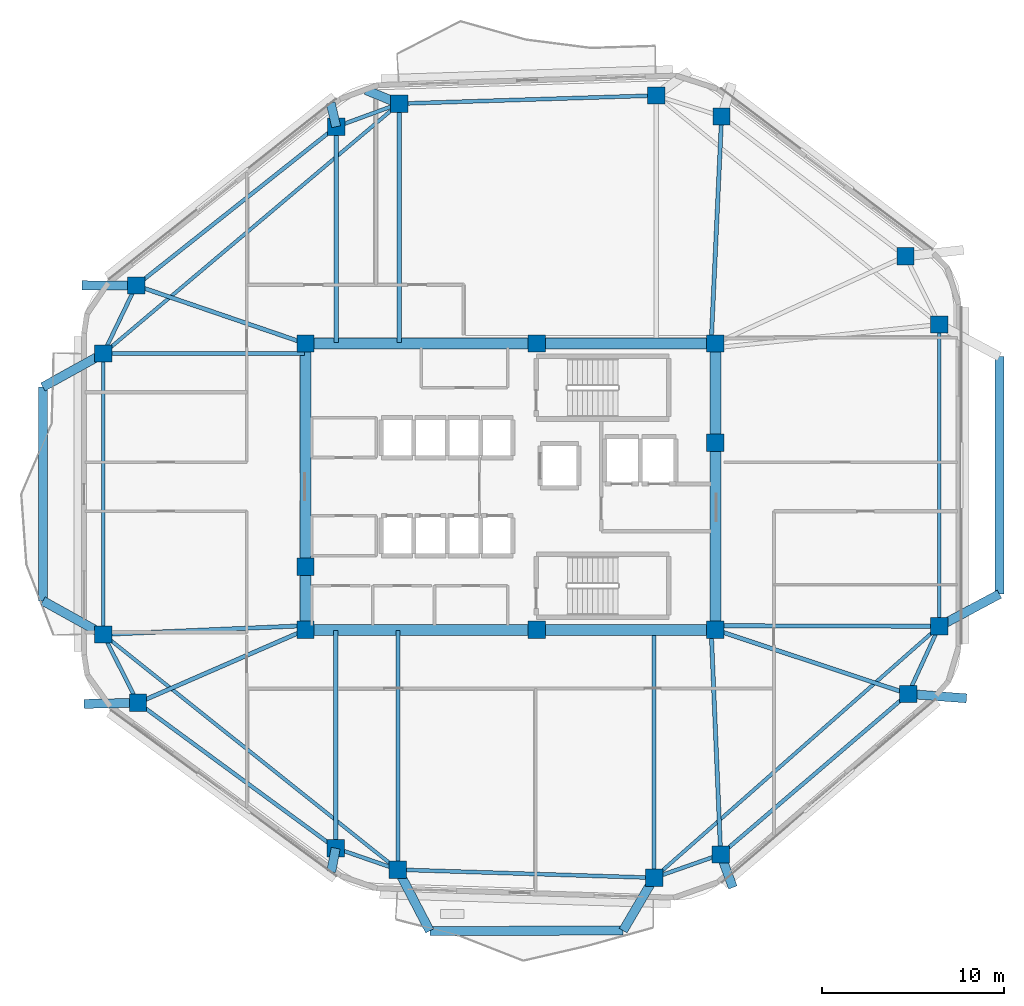
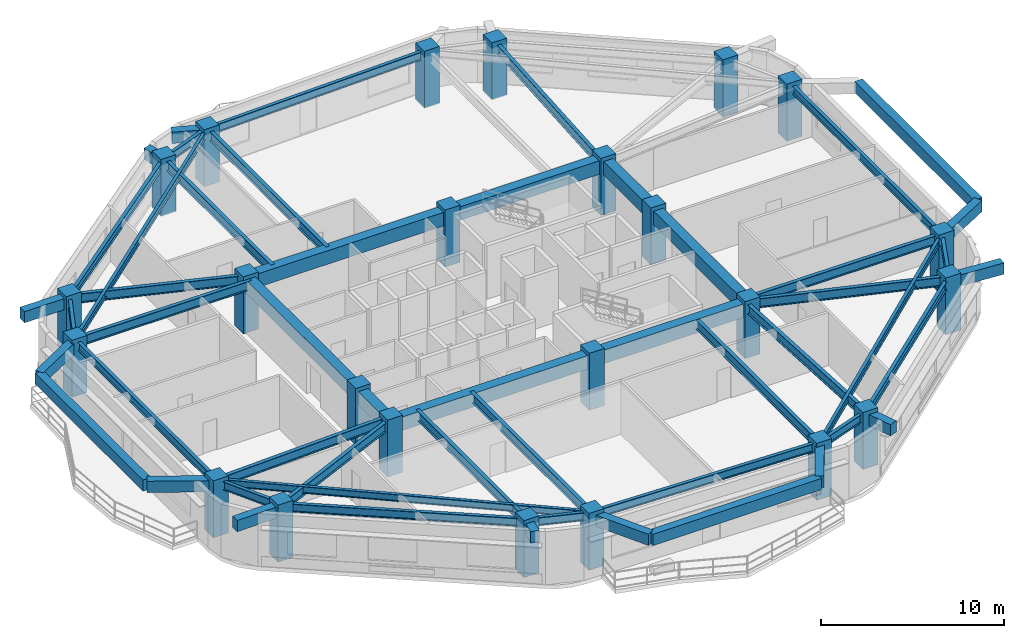
# One storey, part 1 of 9: 52 beams, 24 columns.
"""IFC4 building model written with IfcOpenShell, lengths in metres."""

from ifc_helpers import new_model, si_unit, direction, frame, origin, origin_2d, place, context, subcontext, project, spatial, rectangle, i_section, extrude, material, material_profile, profile_set, type_object, element, save


model = new_model("IFC4")

# Units and contexts
model_context = context("Model", 3, precision=1e-05, world=origin(), true_north=direction((0.0, 1.0)))
body_context = subcontext(model_context, "Body", "Model", "MODEL_VIEW")
ifc_project = project(units=[si_unit("LENGTHUNIT", "METRE"), si_unit("AREAUNIT", "SQUARE_METRE"), si_unit("VOLUMEUNIT", "CUBIC_METRE"), si_unit("PLANEANGLEUNIT", "RADIAN"), si_unit("MASSUNIT", "GRAM", prefix="KILO")], contexts=[model_context])

# Site, building, storey
site_placement = place(None, origin())
site = spatial("IfcSite", under=ifc_project, at=site_placement, CompositionType="ELEMENT")
building_placement = place(site_placement, origin())
building = spatial("IfcBuilding", under=site, at=building_placement, Name="Zulverin Broadcast Headquarters", CompositionType="ELEMENT")
storey_placement = place(building_placement, frame((0.0, 0.0, 189.60009765625)))
storey = spatial("IfcBuildingStorey", under=building, at=storey_placement, Name="L48", CompositionType="ELEMENT", Elevation=189.60009765625)

# Columns
ifc_material_1 = material(Name="Concrete C50/60", Category="concrete")
ifc_material_profile_1 = material_profile(ifc_material_1, rectangle(XDim=0.949951171875, YDim=0.949951171875, at=origin_2d()), Name="Concrete C50/60", Category="concrete")
ifc_profile_set_1 = profile_set([ifc_material_profile_1], Name="Concrete C50/60")
column_type_1 = type_object("IfcColumnType", Name="COL-RC-950", PredefinedType="COLUMN", material=ifc_profile_set_1)
for number, where, z_axis, x_axis, name in (
    (1, (30.80859375, 4.12744140625, 0.0), (0.0, 0.0, 1.0), (1.0, 0.0, 0.0), "L48 Perimeter Column T01"),
    (2, (44.909912109375, 3.68017578125, 0.0), (0.0, 0.0, 1.0), (1.0, 0.0, 0.0), "L48 Perimeter Column T02"),
    (3, (48.569580078125, 4.967041015625, 0.0), (0.0, 0.0, 1.0), (1.0, 0.0, 0.0), "L48 Perimeter Column T03"),
    (4, (58.886962890625, 13.798095703125, 0.0), (0.0, 0.0, 1.0), (1.0, 0.0, 0.0), "L48 Perimeter Column T04"),
    (5, (60.60009765625, 17.519287109375, 0.0), (0.0, 0.0, 1.0), (1.0, 0.0, 0.0), "L48 Perimeter Column T05"),
    (6, (60.60009765625, 34.12158203125, 0.0), (0.0, 0.0, 1.0), (1.0, 0.0, 0.0), "L48 Perimeter Column T06"),
    (7, (58.738037109375, 37.877685546875, 0.0), (0.0, 0.0, 1.0), (1.0, 0.0, 0.0), "L48 Perimeter Column T07"),
    (8, (48.62158203125, 45.574951171875, 0.0), (0.0, 0.0, 1.0), (1.0, 0.0, 0.0), "L48 Perimeter Column T08"),
    (9, (45.027587890625, 46.7236328125, 0.0), (0.0, 0.0, 1.0), (1.0, 0.0, 0.0), "L48 Perimeter Column T09"),
    (10, (30.882080078125, 46.27490234375, 0.0), (0.0, 0.0, 1.0), (1.0, 0.0, 0.0), "L48 Perimeter Column T10"),
    (11, (27.416259765625, 45.00439453125, 0.0), (0.0, 0.0, 1.0), (1.0, 0.0, 0.0), "L48 Perimeter Column T11"),
    (12, (16.40869140625, 36.26806640625, 0.0), (0.0, 0.0, 1.0), (1.0, 0.0, 0.0), "L48 Perimeter Column T12"),
    (13, (14.60009765625, 32.523193359375, 0.0), (0.0, 0.0, 1.0), (1.0, 0.0, 0.0), "L48 Perimeter Column T13"),
    (14, (14.60009765625, 17.072021484375, 0.0), (0.0, 0.0, 1.0), (1.0, 0.0, 0.0), "L48 Perimeter Column T14"),
    (15, (16.50537109375, 13.306884765625, 0.0), (0.0, 0.0, 1.0), (1.0, 0.0, 0.0), "L48 Perimeter Column T15"),
    (16, (27.38720703125, 5.309814453125, 0.0), (0.0, 0.0, 1.0), (1.0, 0.0, 0.0), "L48 Perimeter Column T16"),
):
    element("IfcColumn", number, at=place(storey_placement, frame(where, z_axis=z_axis, x_axis=x_axis)), inside=storey, type_object=column_type_1, Name=name, PredefinedType="COLUMN", context=body_context, shape_type="SweptSolid", body=[
        extrude(rectangle(XDim=0.949951171875, YDim=0.949951171875, at=origin_2d()), origin(), (0.0, 0.0, 1.0), 3.7998046875),
    ])
ifc_material_profile_2 = material_profile(ifc_material_1, rectangle(XDim=0.949951171875, YDim=0.949951171875, at=origin_2d()), Name="Concrete C50/60", Category="concrete")
ifc_profile_set_2 = profile_set([ifc_material_profile_2], Name="Concrete C50/60")
column_type_2 = type_object("IfcColumnType", Name="PIL-RC-950", PredefinedType="PILASTER", material=ifc_profile_set_2)
for number, where, z_axis, x_axis, name in (
    (17, (25.72509765625, 17.324951171875, 0.0), (0.0, 0.0, 1.0), (1.0, 0.0, 0.0), "L48 Core Pilaster K01"),
    (18, (38.449951171875, 17.324951171875, 0.0), (0.0, 0.0, 1.0), (1.0, 0.0, 0.0), "L48 Core Pilaster K02"),
    (19, (48.27490234375, 17.324951171875, 0.0), (0.0, 0.0, 1.0), (1.0, 0.0, 0.0), "L48 Core Pilaster K03"),
    (20, (48.27490234375, 27.6201171875, 0.0), (0.0, 0.0, 1.0), (1.0, 0.0, 0.0), "L48 Core Pilaster K04"),
    (21, (48.27490234375, 33.074951171875, 0.0), (0.0, 0.0, 1.0), (1.0, 0.0, 0.0), "L48 Core Pilaster K05"),
    (22, (38.449951171875, 33.074951171875, 0.0), (0.0, 0.0, 1.0), (1.0, 0.0, 0.0), "L48 Core Pilaster K06"),
    (23, (25.72509765625, 33.074951171875, 0.0), (0.0, 0.0, 1.0), (1.0, 0.0, 0.0), "L48 Core Pilaster K07"),
    (24, (25.72509765625, 20.800048828125, 0.0), (0.0, 0.0, 1.0), (1.0, 0.0, 0.0), "L48 Core Pilaster K08"),
):
    element("IfcColumn", number, at=place(storey_placement, frame(where, z_axis=z_axis, x_axis=x_axis)), inside=storey, type_object=column_type_2, Name=name, PredefinedType="PILASTER", context=body_context, shape_type="SweptSolid", body=[
        extrude(rectangle(XDim=0.949951171875, YDim=0.949951171875, at=origin_2d()), origin(), (0.0, 0.0, 1.0), 3.7998046875),
    ])

# Beams
ifc_material_2 = material(Name="Concrete C60/75", Category="concrete")
ifc_material_profile_3 = material_profile(ifc_material_2, rectangle(XDim=0.60009765625, YDim=0.89990234375, at=origin_2d()), Name="Concrete C60/75", Category="concrete")
ifc_profile_set_3 = profile_set([ifc_material_profile_3], Name="Concrete C60/75")
beam_type_1 = type_object("IfcBeamType", Name="BM-CB-600x900", PredefinedType="LINTEL", material=ifc_profile_set_3)
beam_1_placement = place(storey_placement, frame((25.72509765625, 17.324951171875, 3.08984375), z_axis=(1.0, 0.0, 0.0), x_axis=(0.0, 1.0, 0.0)))
element("IfcBeam", 25, at=beam_1_placement, inside=storey, type_object=beam_type_1, Name="L48 Core Coupling Girder K01-K02", PredefinedType="LINTEL", context=body_context, shape_type="SweptSolid", body=[
    extrude(rectangle(XDim=0.60009765625, YDim=0.89990234375, at=origin_2d()), origin(), (0.0, 0.0, 1.0), 12.724853515625),
])
beam_2_placement = place(storey_placement, frame((38.449951171875, 17.324951171875, 3.08984375), z_axis=(1.0, 0.0, 0.0), x_axis=(0.0, 1.0, 0.0)))
element("IfcBeam", 26, at=beam_2_placement, inside=storey, type_object=beam_type_1, Name="L48 Core Coupling Girder K02-K03", PredefinedType="LINTEL", context=body_context, shape_type="SweptSolid", body=[
    extrude(rectangle(XDim=0.60009765625, YDim=0.89990234375, at=origin_2d()), origin(), (0.0, 0.0, 1.0), 9.824951171875),
])
beam_3_placement = place(storey_placement, frame((48.27490234375, 17.324951171875, 3.08984375), z_axis=(0.0, 1.0, 0.0), x_axis=(-1.0, 0.0, 0.0)))
element("IfcBeam", 27, at=beam_3_placement, inside=storey, type_object=beam_type_1, Name="L48 Core Coupling Girder K03-K04", PredefinedType="LINTEL", context=body_context, shape_type="SweptSolid", body=[
    extrude(rectangle(XDim=0.60009765625, YDim=0.89990234375, at=origin_2d()), origin(), (0.0, 0.0, 1.0), 10.295166015625),
])
beam_4_placement = place(storey_placement, frame((48.27490234375, 27.6201171875, 3.08984375), z_axis=(0.0, 1.0, 0.0), x_axis=(-1.0, 0.0, 0.0)))
element("IfcBeam", 28, at=beam_4_placement, inside=storey, type_object=beam_type_1, Name="L48 Core Coupling Girder K04-K05", PredefinedType="LINTEL", context=body_context, shape_type="SweptSolid", body=[
    extrude(rectangle(XDim=0.60009765625, YDim=0.89990234375, at=origin_2d()), origin(), (0.0, 0.0, 1.0), 5.454833984375),
])
beam_5_placement = place(storey_placement, frame((48.27490234375, 33.074951171875, 3.08984375), z_axis=(-1.0, 0.0, 0.0), x_axis=(0.0, -1.0, 0.0)))
element("IfcBeam", 29, at=beam_5_placement, inside=storey, type_object=beam_type_1, Name="L48 Core Coupling Girder K05-K06", PredefinedType="LINTEL", context=body_context, shape_type="SweptSolid", body=[
    extrude(rectangle(XDim=0.60009765625, YDim=0.89990234375, at=origin_2d()), origin(), (0.0, 0.0, 1.0), 9.824951171875),
])
beam_6_placement = place(storey_placement, frame((38.449951171875, 33.074951171875, 3.08984375), z_axis=(-1.0, 0.0, 0.0), x_axis=(0.0, -1.0, 0.0)))
element("IfcBeam", 30, at=beam_6_placement, inside=storey, type_object=beam_type_1, Name="L48 Core Coupling Girder K06-K07", PredefinedType="LINTEL", context=body_context, shape_type="SweptSolid", body=[
    extrude(rectangle(XDim=0.60009765625, YDim=0.89990234375, at=origin_2d()), origin(), (0.0, 0.0, 1.0), 12.724853515625),
])
beam_7_placement = place(storey_placement, frame((25.72509765625, 33.074951171875, 3.08984375), z_axis=(0.0, -1.0, 0.0), x_axis=(1.0, 0.0, 0.0)))
element("IfcBeam", 31, at=beam_7_placement, inside=storey, type_object=beam_type_1, Name="L48 Core Coupling Girder K07-K08", PredefinedType="LINTEL", context=body_context, shape_type="SweptSolid", body=[
    extrude(rectangle(XDim=0.60009765625, YDim=0.89990234375, at=origin_2d()), origin(), (0.0, 0.0, 1.0), 12.27490234375),
])
beam_8_placement = place(storey_placement, frame((25.72509765625, 20.800048828125, 3.08984375), z_axis=(0.0, -1.0, 0.0), x_axis=(1.0, 0.0, 0.0)))
element("IfcBeam", 32, at=beam_8_placement, inside=storey, type_object=beam_type_1, Name="L48 Core Coupling Girder K08-K01", PredefinedType="LINTEL", context=body_context, shape_type="SweptSolid", body=[
    extrude(rectangle(XDim=0.60009765625, YDim=0.89990234375, at=origin_2d()), origin(), (0.0, 0.0, 1.0), 3.47509765625),
])
ifc_material_3 = material(Name="Concrete C40/50", Category="concrete")
ifc_material_profile_4 = material_profile(ifc_material_3, rectangle(XDim=0.5, YDim=0.75, at=origin_2d()), Name="Concrete C40/50", Category="concrete")
ifc_profile_set_4 = profile_set([ifc_material_profile_4], Name="Concrete C40/50")
beam_type_2 = type_object("IfcBeamType", Name="BM-RC-500x750", PredefinedType="BEAM", material=ifc_profile_set_4)
beam_9_placement = place(storey_placement, frame((48.569580078125, 4.967041015625, 3.164794921875), z_axis=(0.345752020663, -0.938325924297, 0.0), x_axis=(0.938325924297, 0.345752020663, 0.0)))
element("IfcBeam", 33, at=beam_9_placement, inside=storey, type_object=beam_type_2, Name="L49 Plate Overhang Back-Spanned Beam OVR-03", PredefinedType="BEAM", context=body_context, shape_type="SweptSolid", body=[
    extrude(rectangle(XDim=0.5, YDim=0.75, at=origin_2d()), origin(), (0.0, 0.0, 1.0), 1.939697265625),
])
beam_10_placement = place(storey_placement, frame((58.886962890625, 13.798095703125, 3.164794921875), z_axis=(0.997102032175, -0.076075866292, 0.0), x_axis=(0.076075866292, 0.997102032175, 0.0)))
element("IfcBeam", 34, at=beam_10_placement, inside=storey, type_object=beam_type_2, Name="L49 Plate Overhang Back-Spanned Beam OVR-04", PredefinedType="BEAM", context=body_context, shape_type="SweptSolid", body=[
    extrude(rectangle(XDim=0.5, YDim=0.75, at=origin_2d()), origin(), (0.0, 0.0, 1.0), 3.21875),
])
beam_11_placement = place(storey_placement, frame((30.882080078125, 46.27490234375, 3.164794921875), z_axis=(-0.925858251908, 0.377871006262, 0.0), x_axis=(-0.377871006262, -0.925858251908, 0.0)))
element("IfcBeam", 35, at=beam_11_placement, inside=storey, type_object=beam_type_2, Name="L49 Plate Overhang Back-Spanned Beam OVR-10", PredefinedType="BEAM", context=body_context, shape_type="SweptSolid", body=[
    extrude(rectangle(XDim=0.5, YDim=0.75, at=origin_2d()), origin(), (0.0, 0.0, 1.0), 1.971923828125),
])
beam_12_placement = place(storey_placement, frame((27.416259765625, 45.00439453125, 3.164794921875), z_axis=(-0.226537446689, 0.97400245649, 0.0), x_axis=(-0.97400245649, -0.226537446689, 0.0)))
element("IfcBeam", 36, at=beam_12_placement, inside=storey, type_object=beam_type_2, Name="L49 Plate Overhang Back-Spanned Beam OVR-11", PredefinedType="BEAM", context=body_context, shape_type="SweptSolid", body=[
    extrude(rectangle(XDim=0.5, YDim=0.75, at=origin_2d()), origin(), (0.0, 0.0, 1.0), 1.349365234375),
])
beam_13_placement = place(storey_placement, frame((16.40869140625, 36.26806640625, 3.164794921875), z_axis=(-0.999987827006, 0.004934150462, 0.0), x_axis=(-0.004934150462, -0.999987827006, 0.0)))
element("IfcBeam", 37, at=beam_13_placement, inside=storey, type_object=beam_type_2, Name="L49 Plate Overhang Back-Spanned Beam OVR-12", PredefinedType="BEAM", context=body_context, shape_type="SweptSolid", body=[
    extrude(rectangle(XDim=0.5, YDim=0.75, at=origin_2d()), origin(), (0.0, 0.0, 1.0), 2.96875),
])
beam_14_placement = place(storey_placement, frame((16.50537109375, 13.306884765625, 3.164794921875), z_axis=(-0.999808645539, -0.019562011805, 0.0), x_axis=(0.019562011805, -0.999808645539, 0.0)))
element("IfcBeam", 38, at=beam_14_placement, inside=storey, type_object=beam_type_2, Name="L49 Plate Overhang Back-Spanned Beam OVR-15", PredefinedType="BEAM", context=body_context, shape_type="SweptSolid", body=[
    extrude(rectangle(XDim=0.5, YDim=0.75, at=origin_2d()), origin(), (0.0, 0.0, 1.0), 2.957763671875),
])
beam_15_placement = place(storey_placement, frame((27.38720703125, 5.309814453125, 3.164794921875), z_axis=(-0.186527092112, -0.982449817501, 0.0), x_axis=(0.982449817501, -0.186527092112, 0.0)))
element("IfcBeam", 39, at=beam_15_placement, inside=storey, type_object=beam_type_2, Name="L49 Plate Overhang Back-Spanned Beam OVR-16", PredefinedType="BEAM", context=body_context, shape_type="SweptSolid", body=[
    extrude(rectangle(XDim=0.5, YDim=0.75, at=origin_2d()), origin(), (0.0, 0.0, 1.0), 1.3232421875),
])
beam_16_placement = place(storey_placement, frame((60.60009765625, 17.519287109375, 3.164794921875), z_axis=(0.881522552511, 0.472141916604, 0.0), x_axis=(-0.472141916604, 0.881522552511, 0.0)))
element("IfcBeam", 40, at=beam_16_placement, inside=storey, type_object=beam_type_2, Name="L49 Balcony Column-Framed Cantilever BAL_E-1", PredefinedType="BEAM", context=body_context, shape_type="SweptSolid", body=[
    extrude(rectangle(XDim=0.5, YDim=0.75, at=origin_2d()), origin(), (0.0, 0.0, 1.0), 3.75),
])
beam_17_placement = place(storey_placement, frame((63.90576171875, 19.289794921875, 3.164794921875), z_axis=(0.000298908969, 0.999999955327, 0.0), x_axis=(-0.999999955327, 0.000298908969, 0.0)))
element("IfcBeam", 41, at=beam_17_placement, inside=storey, type_object=beam_type_2, Name="L49 Balcony Outer Edge Trimmer Beam BAL_E", PredefinedType="BEAM", context=body_context, shape_type="SweptSolid", body=[
    extrude(rectangle(XDim=0.5, YDim=0.75, at=origin_2d()), origin(), (0.0, 0.0, 1.0), 13.068359375),
])
beam_18_placement = place(storey_placement, frame((30.80859375, 4.12744140625, 3.164794921875), z_axis=(0.4616743427, -0.88704949202, 0.0), x_axis=(0.88704949202, 0.4616743427, 0.0)))
element("IfcBeam", 42, at=beam_18_placement, inside=storey, type_object=beam_type_2, Name="L49 Balcony Column-Framed Cantilever BAL_S-1", PredefinedType="BEAM", context=body_context, shape_type="SweptSolid", body=[
    extrude(rectangle(XDim=0.5, YDim=0.75, at=origin_2d()), origin(), (0.0, 0.0, 1.0), 3.800048828125),
])
beam_19_placement = place(storey_placement, frame((44.909912109375, 3.68017578125, 3.164794921875), z_axis=(-0.506750994764, -0.862092471435, 0.0), x_axis=(0.862092471435, -0.506750994764, 0.0)))
element("IfcBeam", 43, at=beam_19_placement, inside=storey, type_object=beam_type_2, Name="L49 Balcony Column-Framed Cantilever BAL_S-2", PredefinedType="BEAM", context=body_context, shape_type="SweptSolid", body=[
    extrude(rectangle(XDim=0.5, YDim=0.75, at=origin_2d()), origin(), (0.0, 0.0, 1.0), 3.3701171875),
])
beam_20_placement = place(storey_placement, frame((32.56298828125, 0.756591796875, 3.164794921875), z_axis=(0.999998518993, 0.001721049358, 0.0), x_axis=(-0.001721049358, 0.999998518993, 0.0)))
element("IfcBeam", 44, at=beam_20_placement, inside=storey, type_object=beam_type_2, Name="L49 Balcony Outer Edge Trimmer Beam BAL_S", PredefinedType="BEAM", context=body_context, shape_type="SweptSolid", body=[
    extrude(rectangle(XDim=0.5, YDim=0.75, at=origin_2d()), origin(), (0.0, 0.0, 1.0), 10.63916015625),
])
for number, where, z_axis, x_axis, name in (
    (45, (14.60009765625, 32.523193359375, 3.164794921875), (-0.875019567372, -0.484087550672, 0.0), (0.484087550672, -0.875019567372, 0.0), "L49 Balcony Column-Framed Cantilever BAL_W-1"),
    (46, (14.60009765625, 17.072021484375, 3.164794921875), (-0.874154245552, 0.485648386163, 0.0), (-0.485648386163, -0.874154245552, 0.0), "L49 Balcony Column-Framed Cantilever BAL_W-2"),
):
    element("IfcBeam", number, at=place(storey_placement, frame(where, z_axis=z_axis, x_axis=x_axis)), inside=storey, type_object=beam_type_2, Name=name, PredefinedType="BEAM", context=body_context, shape_type="SweptSolid", body=[
        extrude(rectangle(XDim=0.5, YDim=0.75, at=origin_2d()), origin(), (0.0, 0.0, 1.0), 3.800048828125),
    ])
beam_21_placement = place(storey_placement, frame((11.27490234375, 30.68359375, 3.164794921875), z_axis=(0.00029049258, -0.999999957807, 0.0), x_axis=(0.999999957807, 0.00029049258, 0.0)))
element("IfcBeam", 47, at=beam_21_placement, inside=storey, type_object=beam_type_2, Name="L49 Balcony Outer Edge Trimmer Beam BAL_W", PredefinedType="BEAM", context=body_context, shape_type="SweptSolid", body=[
    extrude(rectangle(XDim=0.5, YDim=0.75, at=origin_2d()), origin(), (0.0, 0.0, 1.0), 11.76611328125),
])
ifc_material_4 = material(Name="Structural steel S355JR", Category="steel")
ifc_material_profile_5 = material_profile(ifc_material_4, i_section(OverallWidth=0.19287109375, OverallDepth=0.46728515625, WebThickness=0.011474609375, FlangeThickness=0.01953125, at=origin_2d()), Name="Structural steel S355JR", Category="steel")
ifc_profile_set_5 = profile_set([ifc_material_profile_5], Name="Structural steel S355JR")
beam_type_3 = type_object("IfcBeamType", Name="BM-UB-457", PredefinedType="JOIST", material=ifc_profile_set_5)
beam_22_placement = place(storey_placement, frame((44.909912109375, 3.68017578125, 3.306396484375), z_axis=(0.74996043981, 0.661482682102, 0.0), x_axis=(-0.661482682102, 0.74996043981, 0.0)))
element("IfcBeam", 48, at=beam_22_placement, inside=storey, type_object=beam_type_3, Name="L48 Chordal Floor Joist J-01", PredefinedType="JOIST", context=body_context, shape_type="SweptSolid", body=[
    extrude(i_section(OverallWidth=0.19287109375, OverallDepth=0.46728515625, WebThickness=0.011474609375, FlangeThickness=0.01953125, at=origin_2d()), origin(), (0.0, 0.0, 1.0), 20.92138671875),
])
beam_23_placement = place(storey_placement, frame((30.882080078125, 46.27490234375, 3.306396484375), z_axis=(-0.763972566446, -0.645248725468, 0.0), x_axis=(0.645248725468, -0.763972566446, 0.0)))
element("IfcBeam", 49, at=beam_23_placement, inside=storey, type_object=beam_type_3, Name="L48 Chordal Floor Joist J-03", PredefinedType="JOIST", context=body_context, shape_type="SweptSolid", body=[
    extrude(i_section(OverallWidth=0.19287109375, OverallDepth=0.46728515625, WebThickness=0.011474609375, FlangeThickness=0.01953125, at=origin_2d()), origin(), (0.0, 0.0, 1.0), 21.312255859375),
])
beam_24_placement = place(storey_placement, frame((14.60009765625, 17.072021484375, 3.306396484375), z_axis=(0.781390996609, -0.624041753746, 0.0), x_axis=(0.624041753746, 0.781390996609, 0.0)))
element("IfcBeam", 50, at=beam_24_placement, inside=storey, type_object=beam_type_3, Name="L48 Chordal Floor Joist J-04", PredefinedType="JOIST", context=body_context, shape_type="SweptSolid", body=[
    extrude(i_section(OverallWidth=0.19287109375, OverallDepth=0.46728515625, WebThickness=0.011474609375, FlangeThickness=0.01953125, at=origin_2d()), origin(), (0.0, 0.0, 1.0), 20.7431640625),
])
ifc_material_profile_6 = material_profile(ifc_material_4, i_section(OverallWidth=0.2119140625, OverallDepth=0.54443359375, WebThickness=0.0126953125, FlangeThickness=0.021240234375, at=origin_2d()), Name="Structural steel S355JR", Category="steel")
ifc_profile_set_6 = profile_set([ifc_material_profile_6], Name="Structural steel S355JR")
beam_type_4 = type_object("IfcBeamType", Name="BM-UB-533", PredefinedType="SPANDREL", material=ifc_profile_set_6)
beam_25_placement = place(storey_placement, frame((30.80859375, 4.12744140625, 3.267578125), z_axis=(0.999497363437, -0.031702058031, 0.0), x_axis=(0.031702058031, 0.999497363437, 0.0)))
element("IfcBeam", 51, at=beam_25_placement, inside=storey, type_object=beam_type_4, Name="L48 Perimeter Spandrel Beam SP-01", PredefinedType="SPANDREL", context=body_context, shape_type="SweptSolid", body=[
    extrude(i_section(OverallWidth=0.2119140625, OverallDepth=0.54443359375, WebThickness=0.0126953125, FlangeThickness=0.021240234375, at=origin_2d()), origin(), (0.0, 0.0, 1.0), 14.1083984375),
])
beam_26_placement = place(storey_placement, frame((44.909912109375, 3.68017578125, 3.267578125), z_axis=(0.943376593622, 0.331723684121, 0.0), x_axis=(-0.331723684121, 0.943376593622, 0.0)))
element("IfcBeam", 52, at=beam_26_placement, inside=storey, type_object=beam_type_4, Name="L48 Perimeter Spandrel Beam SP-02", PredefinedType="SPANDREL", context=body_context, shape_type="SweptSolid", body=[
    extrude(i_section(OverallWidth=0.2119140625, OverallDepth=0.54443359375, WebThickness=0.0126953125, FlangeThickness=0.021240234375, at=origin_2d()), origin(), (0.0, 0.0, 1.0), 3.87939453125),
])
beam_27_placement = place(storey_placement, frame((48.569580078125, 4.967041015625, 3.267578125), z_axis=(0.759708170965, 0.650264173217, 0.0), x_axis=(-0.650264173217, 0.759708170965, 0.0)))
element("IfcBeam", 53, at=beam_27_placement, inside=storey, type_object=beam_type_4, Name="L48 Perimeter Spandrel Beam SP-03", PredefinedType="SPANDREL", context=body_context, shape_type="SweptSolid", body=[
    extrude(i_section(OverallWidth=0.2119140625, OverallDepth=0.54443359375, WebThickness=0.0126953125, FlangeThickness=0.021240234375, at=origin_2d()), origin(), (0.0, 0.0, 1.0), 13.580810546875),
])
beam_28_placement = place(storey_placement, frame((58.886962890625, 13.798095703125, 3.267578125), z_axis=(0.418184975358, 0.90836189175, 0.0), x_axis=(-0.90836189175, 0.418184975358, 0.0)))
element("IfcBeam", 54, at=beam_28_placement, inside=storey, type_object=beam_type_4, Name="L48 Perimeter Spandrel Beam SP-04", PredefinedType="SPANDREL", context=body_context, shape_type="SweptSolid", body=[
    extrude(i_section(OverallWidth=0.2119140625, OverallDepth=0.54443359375, WebThickness=0.0126953125, FlangeThickness=0.021240234375, at=origin_2d()), origin(), (0.0, 0.0, 1.0), 4.0966796875),
])
beam_29_placement = place(storey_placement, frame((60.60009765625, 17.519287109375, 3.267578125), z_axis=(0.0, 1.0, 0.0), x_axis=(-1.0, 0.0, 0.0)))
element("IfcBeam", 55, at=beam_29_placement, inside=storey, type_object=beam_type_4, Name="L48 Perimeter Spandrel Beam SP-05", PredefinedType="SPANDREL", context=body_context, shape_type="SweptSolid", body=[
    extrude(i_section(OverallWidth=0.2119140625, OverallDepth=0.54443359375, WebThickness=0.0126953125, FlangeThickness=0.021240234375, at=origin_2d()), origin(), (0.0, 0.0, 1.0), 16.602294921875),
])
beam_30_placement = place(storey_placement, frame((45.027587890625, 46.7236328125, 3.267578125), z_axis=(-0.999497221833, -0.031706522156, 0.0), x_axis=(0.031706522156, -0.999497221833, 0.0)))
element("IfcBeam", 56, at=beam_30_placement, inside=storey, type_object=beam_type_4, Name="L48 Perimeter Spandrel Beam SP-09", PredefinedType="SPANDREL", context=body_context, shape_type="SweptSolid", body=[
    extrude(i_section(OverallWidth=0.2119140625, OverallDepth=0.54443359375, WebThickness=0.0126953125, FlangeThickness=0.021240234375, at=origin_2d()), origin(), (0.0, 0.0, 1.0), 14.152587890625),
])
beam_31_placement = place(storey_placement, frame((30.882080078125, 46.27490234375, 3.267578125), z_axis=(-0.938901965426, -0.344184687805, 0.0), x_axis=(0.344184687805, -0.938901965426, 0.0)))
element("IfcBeam", 57, at=beam_31_placement, inside=storey, type_object=beam_type_4, Name="L48 Perimeter Spandrel Beam SP-10", PredefinedType="SPANDREL", context=body_context, shape_type="SweptSolid", body=[
    extrude(i_section(OverallWidth=0.2119140625, OverallDepth=0.54443359375, WebThickness=0.0126953125, FlangeThickness=0.021240234375, at=origin_2d()), origin(), (0.0, 0.0, 1.0), 3.69140625),
])
beam_32_placement = place(storey_placement, frame((27.416259765625, 45.00439453125, 3.267578125), z_axis=(-0.783283263401, -0.621664965457, 0.0), x_axis=(0.621664965457, -0.783283263401, 0.0)))
element("IfcBeam", 58, at=beam_32_placement, inside=storey, type_object=beam_type_4, Name="L48 Perimeter Spandrel Beam SP-11", PredefinedType="SPANDREL", context=body_context, shape_type="SweptSolid", body=[
    extrude(i_section(OverallWidth=0.2119140625, OverallDepth=0.54443359375, WebThickness=0.0126953125, FlangeThickness=0.021240234375, at=origin_2d()), origin(), (0.0, 0.0, 1.0), 14.05322265625),
])
beam_33_placement = place(storey_placement, frame((16.40869140625, 36.26806640625, 3.267578125), z_axis=(-0.434890248034, -0.900483465792, 0.0), x_axis=(0.900483465792, -0.434890248034, 0.0)))
element("IfcBeam", 59, at=beam_33_placement, inside=storey, type_object=beam_type_4, Name="L48 Perimeter Spandrel Beam SP-12", PredefinedType="SPANDREL", context=body_context, shape_type="SweptSolid", body=[
    extrude(i_section(OverallWidth=0.2119140625, OverallDepth=0.54443359375, WebThickness=0.0126953125, FlangeThickness=0.021240234375, at=origin_2d()), origin(), (0.0, 0.0, 1.0), 4.15869140625),
])
beam_34_placement = place(storey_placement, frame((14.60009765625, 32.523193359375, 3.267578125), z_axis=(0.0, -1.0, 0.0), x_axis=(1.0, 0.0, 0.0)))
element("IfcBeam", 60, at=beam_34_placement, inside=storey, type_object=beam_type_4, Name="L48 Perimeter Spandrel Beam SP-13", PredefinedType="SPANDREL", context=body_context, shape_type="SweptSolid", body=[
    extrude(i_section(OverallWidth=0.2119140625, OverallDepth=0.54443359375, WebThickness=0.0126953125, FlangeThickness=0.021240234375, at=origin_2d()), origin(), (0.0, 0.0, 1.0), 15.451171875),
])
beam_35_placement = place(storey_placement, frame((14.60009765625, 17.072021484375, 3.267578125), z_axis=(0.451512947895, -0.892264567201, 0.0), x_axis=(0.892264567201, 0.451512947895, 0.0)))
element("IfcBeam", 61, at=beam_35_placement, inside=storey, type_object=beam_type_4, Name="L48 Perimeter Spandrel Beam SP-14", PredefinedType="SPANDREL", context=body_context, shape_type="SweptSolid", body=[
    extrude(i_section(OverallWidth=0.2119140625, OverallDepth=0.54443359375, WebThickness=0.0126953125, FlangeThickness=0.021240234375, at=origin_2d()), origin(), (0.0, 0.0, 1.0), 4.2197265625),
])
beam_36_placement = place(storey_placement, frame((16.50537109375, 13.306884765625, 3.267578125), z_axis=(0.805802234061, -0.592184734338, 0.0), x_axis=(0.592184734338, 0.805802234061, 0.0)))
element("IfcBeam", 62, at=beam_36_placement, inside=storey, type_object=beam_type_4, Name="L48 Perimeter Spandrel Beam SP-15", PredefinedType="SPANDREL", context=body_context, shape_type="SweptSolid", body=[
    extrude(i_section(OverallWidth=0.2119140625, OverallDepth=0.54443359375, WebThickness=0.0126953125, FlangeThickness=0.021240234375, at=origin_2d()), origin(), (0.0, 0.0, 1.0), 13.50439453125),
])
beam_37_placement = place(storey_placement, frame((27.38720703125, 5.309814453125, 3.267578125), z_axis=(0.945152732867, -0.326628705956, 0.0), x_axis=(0.326628705956, 0.945152732867, 0.0)))
element("IfcBeam", 63, at=beam_37_placement, inside=storey, type_object=beam_type_4, Name="L48 Perimeter Spandrel Beam SP-16", PredefinedType="SPANDREL", context=body_context, shape_type="SweptSolid", body=[
    extrude(i_section(OverallWidth=0.2119140625, OverallDepth=0.54443359375, WebThickness=0.0126953125, FlangeThickness=0.021240234375, at=origin_2d()), origin(), (0.0, 0.0, 1.0), 3.619873046875),
])
ifc_material_profile_7 = material_profile(ifc_material_4, i_section(OverallWidth=0.230224609375, OverallDepth=0.6171875, WebThickness=0.01318359375, FlangeThickness=0.022216796875, at=origin_2d()), Name="Structural steel S355JR", Category="steel")
ifc_profile_set_7 = profile_set([ifc_material_profile_7], Name="Structural steel S355JR")
beam_type_5 = type_object("IfcBeamType", Name="BM-UB-610", PredefinedType="BEAM", material=ifc_profile_set_7)
beam_38_placement = place(storey_placement, frame((30.80859375, 17.27490234375, 3.231201171875), z_axis=(0.0, -1.0, 0.0), x_axis=(1.0, 0.0, 0.0)))
element("IfcBeam", 64, at=beam_38_placement, inside=storey, type_object=beam_type_5, Name="L48 Radial Primary Floor Beam RB-01", PredefinedType="BEAM", context=body_context, shape_type="SweptSolid", body=[
    extrude(i_section(OverallWidth=0.230224609375, OverallDepth=0.6171875, WebThickness=0.01318359375, FlangeThickness=0.022216796875, at=origin_2d()), origin(), (0.0, 0.0, 1.0), 13.1474609375),
])
beam_39_placement = place(storey_placement, frame((44.909912109375, 17.27490234375, 3.231201171875), z_axis=(0.0, -1.0, 0.0), x_axis=(1.0, 0.0, 0.0)))
element("IfcBeam", 65, at=beam_39_placement, inside=storey, type_object=beam_type_5, Name="L48 Radial Primary Floor Beam RB-02", PredefinedType="BEAM", context=body_context, shape_type="SweptSolid", body=[
    extrude(i_section(OverallWidth=0.230224609375, OverallDepth=0.6171875, WebThickness=0.01318359375, FlangeThickness=0.022216796875, at=origin_2d()), origin(), (0.0, 0.0, 1.0), 13.5947265625),
])
beam_40_placement = place(storey_placement, frame((48.050048828125, 17.27490234375, 3.231201171875), z_axis=(0.042173778549, -0.99911029041, 0.0), x_axis=(0.99911029041, 0.042173778549, 0.0)))
element("IfcBeam", 66, at=beam_40_placement, inside=storey, type_object=beam_type_5, Name="L48 Radial Primary Floor Beam RB-03", PredefinedType="BEAM", context=body_context, shape_type="SweptSolid", body=[
    extrude(i_section(OverallWidth=0.230224609375, OverallDepth=0.6171875, WebThickness=0.01318359375, FlangeThickness=0.022216796875, at=origin_2d()), origin(), (0.0, 0.0, 1.0), 12.31884765625),
])
beam_41_placement = place(storey_placement, frame((48.27490234375, 17.324951171875, 3.231201171875), z_axis=(0.948964552547, -0.315382748432, 0.0), x_axis=(0.315382748432, 0.948964552547, 0.0)))
element("IfcBeam", 67, at=beam_41_placement, inside=storey, type_object=beam_type_5, Name="L48 Radial Primary Floor Beam RB-04", PredefinedType="BEAM", context=body_context, shape_type="SweptSolid", body=[
    extrude(i_section(OverallWidth=0.230224609375, OverallDepth=0.6171875, WebThickness=0.01318359375, FlangeThickness=0.022216796875, at=origin_2d()), origin(), (0.0, 0.0, 1.0), 11.182861328125),
])
beam_42_placement = place(storey_placement, frame((48.324951171875, 17.550048828125, 3.231201171875), z_axis=(0.999996859956, -0.002506008559, 0.0), x_axis=(0.002506008559, 0.999996859956, 0.0)))
element("IfcBeam", 68, at=beam_42_placement, inside=storey, type_object=beam_type_5, Name="L48 Radial Primary Floor Beam RB-05", PredefinedType="BEAM", context=body_context, shape_type="SweptSolid", body=[
    extrude(i_section(OverallWidth=0.230224609375, OverallDepth=0.6171875, WebThickness=0.01318359375, FlangeThickness=0.022216796875, at=origin_2d()), origin(), (0.0, 0.0, 1.0), 12.275146484375),
])
beam_43_placement = place(storey_placement, frame((48.050048828125, 33.125, 3.231201171875), z_axis=(0.045858166026, 0.998947960911, 0.0), x_axis=(-0.998947960911, 0.045858166026, 0.0)))
element("IfcBeam", 69, at=beam_43_placement, inside=storey, type_object=beam_type_5, Name="L48 Radial Primary Floor Beam RB-08", PredefinedType="BEAM", context=body_context, shape_type="SweptSolid", body=[
    extrude(i_section(OverallWidth=0.230224609375, OverallDepth=0.6171875, WebThickness=0.01318359375, FlangeThickness=0.022216796875, at=origin_2d()), origin(), (0.0, 0.0, 1.0), 12.463134765625),
])
beam_44_placement = place(storey_placement, frame((30.882080078125, 33.125, 3.231201171875), z_axis=(0.0, 1.0, 0.0), x_axis=(-1.0, 0.0, 0.0)))
element("IfcBeam", 70, at=beam_44_placement, inside=storey, type_object=beam_type_5, Name="L48 Radial Primary Floor Beam RB-10", PredefinedType="BEAM", context=body_context, shape_type="SweptSolid", body=[
    extrude(i_section(OverallWidth=0.230224609375, OverallDepth=0.6171875, WebThickness=0.01318359375, FlangeThickness=0.022216796875, at=origin_2d()), origin(), (0.0, 0.0, 1.0), 13.14990234375),
])
beam_45_placement = place(storey_placement, frame((27.416259765625, 33.125, 3.231201171875), z_axis=(0.0, 1.0, 0.0), x_axis=(-1.0, 0.0, 0.0)))
element("IfcBeam", 71, at=beam_45_placement, inside=storey, type_object=beam_type_5, Name="L48 Radial Primary Floor Beam RB-11", PredefinedType="BEAM", context=body_context, shape_type="SweptSolid", body=[
    extrude(i_section(OverallWidth=0.230224609375, OverallDepth=0.6171875, WebThickness=0.01318359375, FlangeThickness=0.022216796875, at=origin_2d()), origin(), (0.0, 0.0, 1.0), 11.87939453125),
])
beam_46_placement = place(storey_placement, frame((25.72509765625, 33.074951171875, 3.231201171875), z_axis=(-0.945979621685, 0.324226086793, 0.0), x_axis=(-0.324226086793, -0.945979621685, 0.0)))
element("IfcBeam", 72, at=beam_46_placement, inside=storey, type_object=beam_type_5, Name="L48 Radial Primary Floor Beam RB-12", PredefinedType="BEAM", context=body_context, shape_type="SweptSolid", body=[
    extrude(i_section(OverallWidth=0.230224609375, OverallDepth=0.6171875, WebThickness=0.01318359375, FlangeThickness=0.022216796875, at=origin_2d()), origin(), (0.0, 0.0, 1.0), 9.848388671875),
])
beam_47_placement = place(storey_placement, frame((25.675048828125, 32.523193359375, 3.231201171875), z_axis=(-1.0, 0.0, 0.0), x_axis=(0.0, -1.0, 0.0)))
element("IfcBeam", 73, at=beam_47_placement, inside=storey, type_object=beam_type_5, Name="L48 Radial Primary Floor Beam RB-13", PredefinedType="BEAM", context=body_context, shape_type="SweptSolid", body=[
    extrude(i_section(OverallWidth=0.230224609375, OverallDepth=0.6171875, WebThickness=0.01318359375, FlangeThickness=0.022216796875, at=origin_2d()), origin(), (0.0, 0.0, 1.0), 11.074951171875),
])
beam_48_placement = place(storey_placement, frame((25.675048828125, 17.550048828125, 3.231201171875), z_axis=(-0.999069780306, -0.043122779134, 0.0), x_axis=(0.043122779134, -0.999069780306, 0.0)))
element("IfcBeam", 74, at=beam_48_placement, inside=storey, type_object=beam_type_5, Name="L48 Radial Primary Floor Beam RB-14", PredefinedType="BEAM", context=body_context, shape_type="SweptSolid", body=[
    extrude(i_section(OverallWidth=0.230224609375, OverallDepth=0.6171875, WebThickness=0.01318359375, FlangeThickness=0.022216796875, at=origin_2d()), origin(), (0.0, 0.0, 1.0), 11.085205078125),
])
beam_49_placement = place(storey_placement, frame((25.72509765625, 17.324951171875, 3.231201171875), z_axis=(-0.916724690104, -0.39951951461, 0.0), x_axis=(0.39951951461, -0.916724690104, 0.0)))
element("IfcBeam", 75, at=beam_49_placement, inside=storey, type_object=beam_type_5, Name="L48 Radial Primary Floor Beam RB-15", PredefinedType="BEAM", context=body_context, shape_type="SweptSolid", body=[
    extrude(i_section(OverallWidth=0.230224609375, OverallDepth=0.6171875, WebThickness=0.01318359375, FlangeThickness=0.022216796875, at=origin_2d()), origin(), (0.0, 0.0, 1.0), 10.05712890625),
])
beam_50_placement = place(storey_placement, frame((27.38720703125, 17.27490234375, 3.231201171875), z_axis=(0.0, -1.0, 0.0), x_axis=(1.0, 0.0, 0.0)))
element("IfcBeam", 76, at=beam_50_placement, inside=storey, type_object=beam_type_5, Name="L48 Radial Primary Floor Beam RB-16", PredefinedType="BEAM", context=body_context, shape_type="SweptSolid", body=[
    extrude(i_section(OverallWidth=0.230224609375, OverallDepth=0.6171875, WebThickness=0.01318359375, FlangeThickness=0.022216796875, at=origin_2d()), origin(), (0.0, 0.0, 1.0), 11.965087890625),
])

save(model, "model.ifc")
